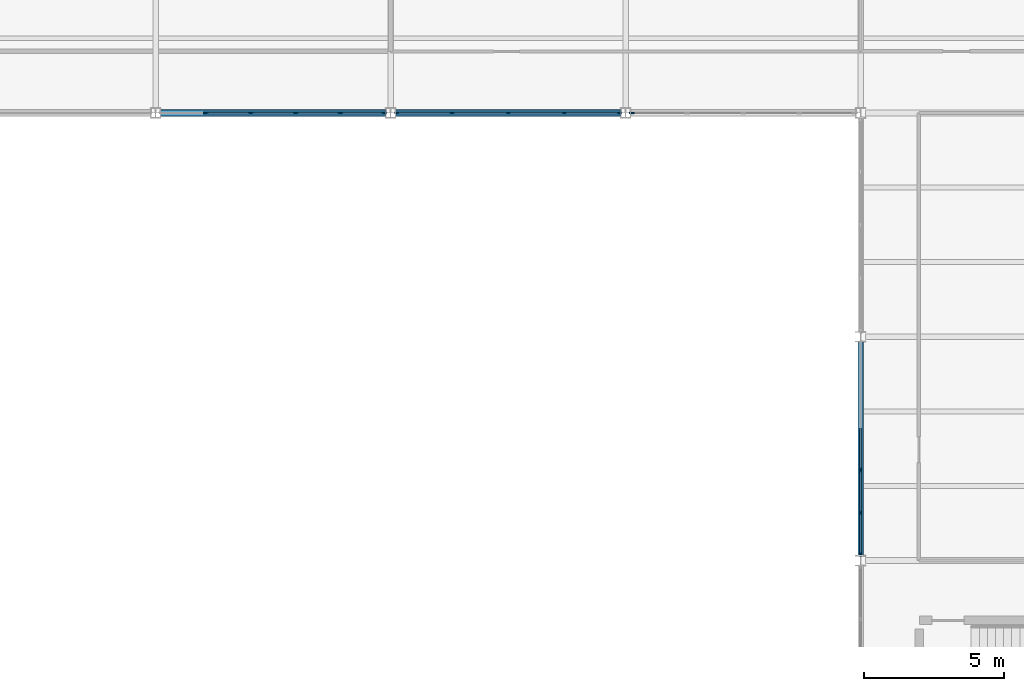
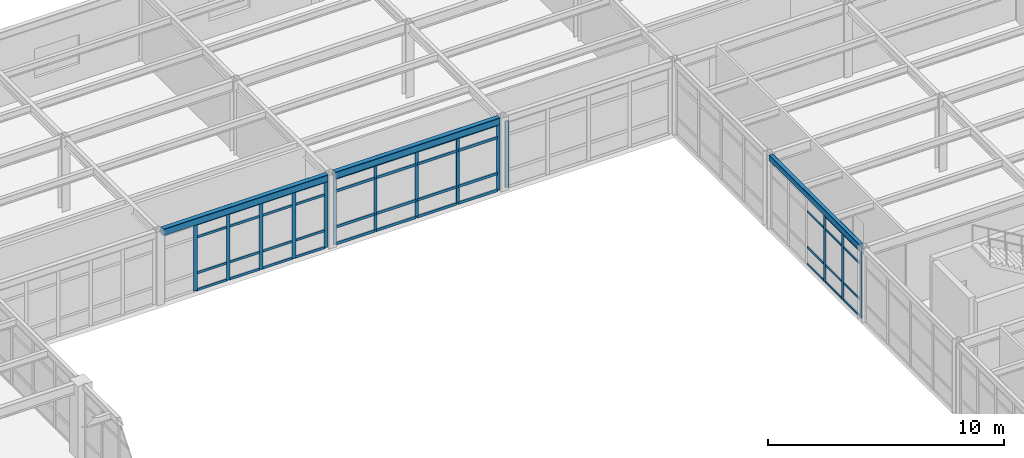
# One storey, part 53 of 138: 57 members, 3 beams, 4 elements without a shape of their own.
"""IFC4 building model written with IfcOpenShell, lengths in metres."""

from ifc_helpers import new_model, si_unit, direction, frame, origin, origin_2d, place, context, subcontext, project, spatial, rectangle, hollow_rectangle, extrude, material, layer, layer_set, material_profile, profile_set, type_object, element, aggregate, save


model = new_model("IFC4")

# Units and contexts
model_context = context("Model", 3, precision=1e-05, world=origin(), true_north=direction((0.0, 1.0)))
body_context = subcontext(model_context, "Body", "Model", "MODEL_VIEW")
ifc_project = project(units=[si_unit("LENGTHUNIT", "METRE"), si_unit("AREAUNIT", "SQUARE_METRE"), si_unit("VOLUMEUNIT", "CUBIC_METRE"), si_unit("PLANEANGLEUNIT", "RADIAN"), si_unit("MASSUNIT", "GRAM", prefix="KILO")], contexts=[model_context])

# Site, building, storey
site_placement = place(None, origin())
site = spatial("IfcSite", under=ifc_project, at=site_placement, CompositionType="ELEMENT")
building_placement = place(site_placement, origin())
building = spatial("IfcBuilding", under=site, at=building_placement, Name="Kranzveld Transit Interchange", CompositionType="ELEMENT")
storey_placement = place(building_placement, frame((0.0, 0.0, 5.43994140625)))
storey = spatial("IfcBuildingStorey", under=building, at=storey_placement, Name="L01", CompositionType="ELEMENT", Elevation=5.43994140625)

# Curtain wall, members
ifc_material_1 = material(Name="Bronze-anodised thermally broken aluminium", Category="aluminium")
ifc_layer_1 = layer(ifc_material_1, 0.14990234375)
ifc_layer_set_1 = layer_set([ifc_layer_1], Name="Bronze-anodised thermally broken aluminium")
curtain_wall_type_1 = type_object("IfcCurtainWallType", Name="Public Passage Clerestory Screen CW-4", PredefinedType="USERDEFINED", material=ifc_layer_set_1)
curtain_wall_1_placement = place(storey_placement, origin())
curtain_wall_1 = element("IfcCurtainWall", 1, at=curtain_wall_1_placement, inside=storey, type_object=curtain_wall_type_1, Name="L01 Curtain Wall 19/L-19/M", ObjectType="CURTAIN WALL", PredefinedType="USERDEFINED")
ifc_material_2 = material(Name="Bronze-anodised thermally broken aluminium", Category="aluminium")
ifc_material_profile_1 = material_profile(ifc_material_2, rectangle(XDim=0.06005859375, YDim=0.14990234375, at=origin_2d()), Name="ALU MULLION 60x150")
ifc_profile_set_1 = profile_set([ifc_material_profile_1], Name="Bronze-anodised thermally broken aluminium")
member_type_1 = type_object("IfcMemberType", Name="Curtain Wall Mullion 60x150 Alu", PredefinedType="MULLION", material=ifc_profile_set_1)
member_1_placement = place(storey_placement, frame((151.199951171875, 80.21728515625, 0.0), z_axis=(0.0, 0.0, 1.0), x_axis=(-1.0, 0.0, 0.0)))
member_1 = element("IfcMember", 2, at=member_1_placement, type_object=member_type_1, Name="CW-4 mullion 1", PredefinedType="MULLION", context=body_context, shape_type="SweptSolid", body=[
    extrude(rectangle(XDim=0.06005859375, YDim=0.14990234375, at=origin_2d()), origin(), (0.0, 0.0, 1.0), 3.442138671875),
])
member_2_placement = place(storey_placement, frame((151.199951171875, 81.71240234375, 0.0), z_axis=(0.0, 0.0, 1.0), x_axis=(-1.0, 0.0, 0.0)))
member_2 = element("IfcMember", 3, at=member_2_placement, type_object=member_type_1, Name="CW-4 mullion 2", PredefinedType="MULLION", context=body_context, shape_type="SweptSolid", body=[
    extrude(rectangle(XDim=0.06005859375, YDim=0.14990234375, at=origin_2d()), origin(), (0.0, 0.0, 1.0), 3.442138671875),
])
member_3_placement = place(storey_placement, frame((151.199951171875, 83.237548828125, 0.0), z_axis=(0.0, 0.0, 1.0), x_axis=(-1.0, 0.0, 0.0)))
member_3 = element("IfcMember", 4, at=member_3_placement, type_object=member_type_1, Name="CW-4 mullion 3", PredefinedType="MULLION", context=body_context, shape_type="SweptSolid", body=[
    extrude(rectangle(XDim=0.06005859375, YDim=0.14990234375, at=origin_2d()), origin(), (0.0, 0.0, 1.0), 3.442138671875),
])

ifc_material_3 = material(Name="Bronze-anodised thermally broken aluminium", Category="aluminium")
ifc_layer_2 = layer(ifc_material_3, 0.159912109375)
ifc_layer_set_2 = layer_set([ifc_layer_2], Name="Bronze-anodised thermally broken aluminium")
curtain_wall_type_2 = type_object("IfcCurtainWallType", Name="Bus Boarding Glazed Screen CW-3", PredefinedType="USERDEFINED", material=ifc_layer_set_2)
curtain_wall_2_placement = place(storey_placement, origin())
curtain_wall_2 = element("IfcCurtainWall", 5, at=curtain_wall_2_placement, inside=storey, type_object=curtain_wall_type_2, Name="L01 Curtain Wall 17/N-18/N", ObjectType="CURTAIN WALL", PredefinedType="USERDEFINED")
member_4_placement = place(storey_placement, frame((134.6171875, 96.0, 0.0), z_axis=(0.0, 0.0, 1.0), x_axis=(0.0, 1.0, 0.0)))
member_4 = element("IfcMember", 6, at=member_4_placement, type_object=member_type_1, Name="CW-3 mullion 1", PredefinedType="MULLION", context=body_context, shape_type="SweptSolid", body=[
    extrude(rectangle(XDim=0.06005859375, YDim=0.14990234375, at=origin_2d()), origin(), (0.0, 0.0, 1.0), 3.449951171875),
])
member_5_placement = place(storey_placement, frame((136.59375, 96.0, 0.0), z_axis=(0.0, 0.0, 1.0), x_axis=(0.0, 1.0, 0.0)))
member_5 = element("IfcMember", 7, at=member_5_placement, type_object=member_type_1, Name="CW-3 mullion 2", PredefinedType="MULLION", context=body_context, shape_type="SweptSolid", body=[
    extrude(rectangle(XDim=0.06005859375, YDim=0.14990234375, at=origin_2d()), origin(), (0.0, 0.0, 1.0), 3.449951171875),
])
member_6_placement = place(storey_placement, frame((138.60009765625, 96.0, 0.0), z_axis=(0.0, 0.0, 1.0), x_axis=(0.0, 1.0, 0.0)))
member_6 = element("IfcMember", 8, at=member_6_placement, type_object=member_type_1, Name="CW-3 mullion 3", PredefinedType="MULLION", context=body_context, shape_type="SweptSolid", body=[
    extrude(rectangle(XDim=0.06005859375, YDim=0.14990234375, at=origin_2d()), origin(), (0.0, 0.0, 1.0), 3.449951171875),
])
member_7_placement = place(storey_placement, frame((140.6064453125, 96.0, 0.0), z_axis=(0.0, 0.0, 1.0), x_axis=(0.0, 1.0, 0.0)))
member_7 = element("IfcMember", 9, at=member_7_placement, type_object=member_type_1, Name="CW-3 mullion 4", PredefinedType="MULLION", context=body_context, shape_type="SweptSolid", body=[
    extrude(rectangle(XDim=0.06005859375, YDim=0.14990234375, at=origin_2d()), origin(), (0.0, 0.0, 1.0), 3.449951171875),
])
member_8_placement = place(storey_placement, frame((142.582763671875, 96.0, 0.0), z_axis=(0.0, 0.0, 1.0), x_axis=(0.0, 1.0, 0.0)))
member_8 = element("IfcMember", 10, at=member_8_placement, type_object=member_type_1, Name="CW-3 mullion 5", PredefinedType="MULLION", context=body_context, shape_type="SweptSolid", body=[
    extrude(rectangle(XDim=0.06005859375, YDim=0.14990234375, at=origin_2d()), origin(), (0.0, 0.0, 1.0), 3.449951171875),
])

ifc_material_4 = material(Name="Bronze-anodised thermally broken aluminium", Category="aluminium")
ifc_layer_3 = layer(ifc_material_4, 0.1650390625)
ifc_layer_set_3 = layer_set([ifc_layer_3], Name="Bronze-anodised thermally broken aluminium")
curtain_wall_type_3 = type_object("IfcCurtainWallType", Name="Sunny Court Arcade Curtain Wall CW-2", PredefinedType="USERDEFINED", material=ifc_layer_set_3)
curtain_wall_3_placement = place(storey_placement, origin())
curtain_wall_3 = element("IfcCurtainWall", 11, at=curtain_wall_3_placement, inside=storey, type_object=curtain_wall_type_3, Name="L01 Curtain Wall 16/N-17/N", ObjectType="CURTAIN WALL", PredefinedType="USERDEFINED")
ifc_material_5 = material(Name="Bronze-anodised thermally broken aluminium", Category="aluminium")
ifc_material_profile_2 = material_profile(ifc_material_5, rectangle(XDim=0.06494140625, YDim=0.179931640625, at=origin_2d()), Name="ALU MULLION 65x180")
ifc_profile_set_2 = profile_set([ifc_material_profile_2], Name="Bronze-anodised thermally broken aluminium")
member_type_2 = type_object("IfcMemberType", Name="Curtain Wall Mullion 65x180 Alu", PredefinedType="MULLION", material=ifc_profile_set_2)
member_9_placement = place(storey_placement, frame((127.79248046875, 96.0, 0.0), z_axis=(0.0, 0.0, 1.0), x_axis=(0.0, 1.0, 0.0)))
member_9 = element("IfcMember", 12, at=member_9_placement, type_object=member_type_2, Name="CW-2 mullion 2", PredefinedType="MULLION", context=body_context, shape_type="SweptSolid", body=[
    extrude(rectangle(XDim=0.06494140625, YDim=0.179931640625, at=origin_2d()), origin(), (0.0, 0.0, 1.0), 3.449951171875),
])
member_10_placement = place(storey_placement, frame((129.3974609375, 96.0, 0.0), z_axis=(0.0, 0.0, 1.0), x_axis=(0.0, 1.0, 0.0)))
member_10 = element("IfcMember", 13, at=member_10_placement, type_object=member_type_2, Name="CW-2 mullion 3", PredefinedType="MULLION", context=body_context, shape_type="SweptSolid", body=[
    extrude(rectangle(XDim=0.06494140625, YDim=0.179931640625, at=origin_2d()), origin(), (0.0, 0.0, 1.0), 3.449951171875),
])
member_11_placement = place(storey_placement, frame((131.00244140625, 96.0, 0.0), z_axis=(0.0, 0.0, 1.0), x_axis=(0.0, 1.0, 0.0)))
member_11 = element("IfcMember", 14, at=member_11_placement, type_object=member_type_2, Name="CW-2 mullion 4", PredefinedType="MULLION", context=body_context, shape_type="SweptSolid", body=[
    extrude(rectangle(XDim=0.06494140625, YDim=0.179931640625, at=origin_2d()), origin(), (0.0, 0.0, 1.0), 3.449951171875),
])
member_12_placement = place(storey_placement, frame((132.607666015625, 96.0, 0.0), z_axis=(0.0, 0.0, 1.0), x_axis=(0.0, 1.0, 0.0)))
member_12 = element("IfcMember", 15, at=member_12_placement, type_object=member_type_2, Name="CW-2 mullion 5", PredefinedType="MULLION", context=body_context, shape_type="SweptSolid", body=[
    extrude(rectangle(XDim=0.06494140625, YDim=0.179931640625, at=origin_2d()), origin(), (0.0, 0.0, 1.0), 3.449951171875),
])
member_13_placement = place(storey_placement, frame((134.18017578125, 96.0, 0.0), z_axis=(0.0, 0.0, 1.0), x_axis=(0.0, 1.0, 0.0)))
member_13 = element("IfcMember", 16, at=member_13_placement, type_object=member_type_2, Name="CW-2 mullion 6", PredefinedType="MULLION", context=body_context, shape_type="SweptSolid", body=[
    extrude(rectangle(XDim=0.06494140625, YDim=0.179931640625, at=origin_2d()), origin(), (0.0, 0.0, 1.0), 3.449951171875),
])

# Curtain wall, member
ifc_material_6 = material(Name="Bronze-anodised thermally broken aluminium", Category="aluminium")
ifc_layer_4 = layer(ifc_material_6, 0.179931640625)
ifc_layer_set_4 = layer_set([ifc_layer_4], Name="Bronze-anodised thermally broken aluminium")
curtain_wall_type_4 = type_object("IfcCurtainWallType", Name="Concourse Unitised Curtain Wall CW-1", PredefinedType="USERDEFINED", material=ifc_layer_set_4)
curtain_wall_4_placement = place(storey_placement, origin())
curtain_wall_4 = element("IfcCurtainWall", 17, at=curtain_wall_4_placement, inside=storey, type_object=curtain_wall_type_4, Name="L01 Curtain Wall 18/N-19/N", ObjectType="CURTAIN WALL", PredefinedType="USERDEFINED")
member_14_placement = place(storey_placement, frame((143.019775390625, 96.0, 0.0), z_axis=(0.0, 0.0, 1.0), x_axis=(0.0, 1.0, 0.0)))
member_14 = element("IfcMember", 18, at=member_14_placement, type_object=member_type_2, Name="CW-1 mullion 1", PredefinedType="MULLION", context=body_context, shape_type="SweptSolid", body=[
    extrude(rectangle(XDim=0.06494140625, YDim=0.179931640625, at=origin_2d()), origin(), (0.0, 0.0, 1.0), 3.449951171875),
])
aggregate(curtain_wall_4, [member_14])

# Member
ifc_material_7 = material(Name="Bronze-anodised thermally broken aluminium", Category="aluminium")
ifc_material_profile_3 = material_profile(ifc_material_7, rectangle(XDim=0.06005859375, YDim=0.110107421875, at=origin_2d()), Name="ALU TRANSOM 60x110")
ifc_profile_set_3 = profile_set([ifc_material_profile_3], Name="Bronze-anodised thermally broken aluminium")
member_type_3 = type_object("IfcMemberType", Name="Curtain Wall Transom 60x110 Alu", PredefinedType="USERDEFINED", material=ifc_profile_set_3)
member_15_placement = place(storey_placement, frame((151.199951171875, 80.247314453125, 0.030029296875), z_axis=(0.0, 1.0, 0.0), x_axis=(-1.0, 0.0, 0.0)))
member_15 = element("IfcMember", 19, at=member_15_placement, type_object=member_type_3, Name="CW-4 transom 1.1", ObjectType="TRANSOM", PredefinedType="USERDEFINED", context=body_context, shape_type="SweptSolid", body=[
    extrude(rectangle(XDim=0.06005859375, YDim=0.110107421875, at=origin_2d()), origin(), (0.0, 0.0, 1.0), 1.43505859375),
])

member_16_placement = place(storey_placement, frame((151.199951171875, 80.247314453125, 0.900146484375), z_axis=(0.0, 1.0, 0.0), x_axis=(-1.0, 0.0, 0.0)))
member_16 = element("IfcMember", 20, at=member_16_placement, type_object=member_type_3, Name="CW-4 transom 1.2", ObjectType="TRANSOM", PredefinedType="USERDEFINED", context=body_context, shape_type="SweptSolid", body=[
    extrude(rectangle(XDim=0.06005859375, YDim=0.110107421875, at=origin_2d()), origin(), (0.0, 0.0, 1.0), 1.43505859375),
])

member_17_placement = place(storey_placement, frame((151.199951171875, 80.247314453125, 2.741943359375), z_axis=(0.0, 1.0, 0.0), x_axis=(-1.0, 0.0, 0.0)))
member_17 = element("IfcMember", 21, at=member_17_placement, type_object=member_type_3, Name="CW-4 transom 1.3", ObjectType="TRANSOM", PredefinedType="USERDEFINED", context=body_context, shape_type="SweptSolid", body=[
    extrude(rectangle(XDim=0.06005859375, YDim=0.110107421875, at=origin_2d()), origin(), (0.0, 0.0, 1.0), 1.43505859375),
])

member_18_placement = place(storey_placement, frame((151.199951171875, 80.247314453125, 3.412109375), z_axis=(0.0, 1.0, 0.0), x_axis=(-1.0, 0.0, 0.0)))
member_18 = element("IfcMember", 22, at=member_18_placement, type_object=member_type_3, Name="CW-4 transom 1.4", ObjectType="TRANSOM", PredefinedType="USERDEFINED", context=body_context, shape_type="SweptSolid", body=[
    extrude(rectangle(XDim=0.06005859375, YDim=0.110107421875, at=origin_2d()), origin(), (0.0, 0.0, 1.0), 1.43505859375),
])

member_19_placement = place(storey_placement, frame((151.199951171875, 81.742431640625, 0.030029296875), z_axis=(0.0, 1.0, 0.0), x_axis=(-1.0, 0.0, 0.0)))
member_19 = element("IfcMember", 23, at=member_19_placement, type_object=member_type_3, Name="CW-4 transom 2.1", ObjectType="TRANSOM", PredefinedType="USERDEFINED", context=body_context, shape_type="SweptSolid", body=[
    extrude(rectangle(XDim=0.06005859375, YDim=0.110107421875, at=origin_2d()), origin(), (0.0, 0.0, 1.0), 1.465087890625),
])

member_20_placement = place(storey_placement, frame((151.199951171875, 81.742431640625, 0.900146484375), z_axis=(0.0, 1.0, 0.0), x_axis=(-1.0, 0.0, 0.0)))
member_20 = element("IfcMember", 24, at=member_20_placement, type_object=member_type_3, Name="CW-4 transom 2.2", ObjectType="TRANSOM", PredefinedType="USERDEFINED", context=body_context, shape_type="SweptSolid", body=[
    extrude(rectangle(XDim=0.06005859375, YDim=0.110107421875, at=origin_2d()), origin(), (0.0, 0.0, 1.0), 1.465087890625),
])

member_21_placement = place(storey_placement, frame((151.199951171875, 81.742431640625, 2.741943359375), z_axis=(0.0, 1.0, 0.0), x_axis=(-1.0, 0.0, 0.0)))
member_21 = element("IfcMember", 25, at=member_21_placement, type_object=member_type_3, Name="CW-4 transom 2.3", ObjectType="TRANSOM", PredefinedType="USERDEFINED", context=body_context, shape_type="SweptSolid", body=[
    extrude(rectangle(XDim=0.06005859375, YDim=0.110107421875, at=origin_2d()), origin(), (0.0, 0.0, 1.0), 1.465087890625),
])

member_22_placement = place(storey_placement, frame((151.199951171875, 81.742431640625, 3.412109375), z_axis=(0.0, 1.0, 0.0), x_axis=(-1.0, 0.0, 0.0)))
member_22 = element("IfcMember", 26, at=member_22_placement, type_object=member_type_3, Name="CW-4 transom 2.4", ObjectType="TRANSOM", PredefinedType="USERDEFINED", context=body_context, shape_type="SweptSolid", body=[
    extrude(rectangle(XDim=0.06005859375, YDim=0.110107421875, at=origin_2d()), origin(), (0.0, 0.0, 1.0), 1.465087890625),
])

member_23_placement = place(storey_placement, frame((151.199951171875, 83.267578125, 0.030029296875), z_axis=(0.0, 1.0, 0.0), x_axis=(-1.0, 0.0, 0.0)))
member_23 = element("IfcMember", 27, at=member_23_placement, type_object=member_type_3, Name="CW-4 transom 3.1", ObjectType="TRANSOM", PredefinedType="USERDEFINED", context=body_context, shape_type="SweptSolid", body=[
    extrude(rectangle(XDim=0.06005859375, YDim=0.110107421875, at=origin_2d()), origin(), (0.0, 0.0, 1.0), 1.46484375),
])

member_24_placement = place(storey_placement, frame((151.199951171875, 83.267578125, 0.900146484375), z_axis=(0.0, 1.0, 0.0), x_axis=(-1.0, 0.0, 0.0)))
member_24 = element("IfcMember", 28, at=member_24_placement, type_object=member_type_3, Name="CW-4 transom 3.2", ObjectType="TRANSOM", PredefinedType="USERDEFINED", context=body_context, shape_type="SweptSolid", body=[
    extrude(rectangle(XDim=0.06005859375, YDim=0.110107421875, at=origin_2d()), origin(), (0.0, 0.0, 1.0), 1.46484375),
])

member_25_placement = place(storey_placement, frame((151.199951171875, 83.267578125, 2.741943359375), z_axis=(0.0, 1.0, 0.0), x_axis=(-1.0, 0.0, 0.0)))
member_25 = element("IfcMember", 29, at=member_25_placement, type_object=member_type_3, Name="CW-4 transom 3.3", ObjectType="TRANSOM", PredefinedType="USERDEFINED", context=body_context, shape_type="SweptSolid", body=[
    extrude(rectangle(XDim=0.06005859375, YDim=0.110107421875, at=origin_2d()), origin(), (0.0, 0.0, 1.0), 1.46484375),
])

aggregate(curtain_wall_1, [member_1, member_2, member_3, member_15, member_16, member_17, member_18, member_19, member_20, member_21, member_22, member_23, member_24, member_25])

ifc_material_8 = material(Name="Bronze-anodised thermally broken aluminium", Category="aluminium")
ifc_material_profile_4 = material_profile(ifc_material_8, rectangle(XDim=0.06005859375, YDim=0.125, at=origin_2d()), Name="ALU TRANSOM 60x125")
ifc_profile_set_4 = profile_set([ifc_material_profile_4], Name="Bronze-anodised thermally broken aluminium")
member_type_4 = type_object("IfcMemberType", Name="Curtain Wall Transom 60x125 Alu", PredefinedType="USERDEFINED", material=ifc_profile_set_4)
member_26_placement = place(storey_placement, frame((127.824951171875, 96.0, 0.030029296875), z_axis=(1.0, 0.0, 0.0), x_axis=(0.0, 1.0, 0.0)))
member_26 = element("IfcMember", 30, at=member_26_placement, type_object=member_type_4, Name="CW-2 transom 2.1", ObjectType="TRANSOM", PredefinedType="USERDEFINED", context=body_context, shape_type="SweptSolid", body=[
    extrude(rectangle(XDim=0.06005859375, YDim=0.125, at=origin_2d()), origin(), (0.0, 0.0, 1.0), 1.5400390625),
])

member_27_placement = place(storey_placement, frame((127.824951171875, 96.0, 0.900146484375), z_axis=(1.0, 0.0, 0.0), x_axis=(0.0, 1.0, 0.0)))
member_27 = element("IfcMember", 31, at=member_27_placement, type_object=member_type_4, Name="CW-2 transom 2.2", ObjectType="TRANSOM", PredefinedType="USERDEFINED", context=body_context, shape_type="SweptSolid", body=[
    extrude(rectangle(XDim=0.06005859375, YDim=0.125, at=origin_2d()), origin(), (0.0, 0.0, 1.0), 1.5400390625),
])

member_28_placement = place(storey_placement, frame((127.824951171875, 96.0, 2.75), z_axis=(1.0, 0.0, 0.0), x_axis=(0.0, 1.0, 0.0)))
member_28 = element("IfcMember", 32, at=member_28_placement, type_object=member_type_4, Name="CW-2 transom 2.3", ObjectType="TRANSOM", PredefinedType="USERDEFINED", context=body_context, shape_type="SweptSolid", body=[
    extrude(rectangle(XDim=0.06005859375, YDim=0.125, at=origin_2d()), origin(), (0.0, 0.0, 1.0), 1.5400390625),
])

member_29_placement = place(storey_placement, frame((127.824951171875, 96.0, 3.420166015625), z_axis=(1.0, 0.0, 0.0), x_axis=(0.0, 1.0, 0.0)))
member_29 = element("IfcMember", 33, at=member_29_placement, type_object=member_type_4, Name="CW-2 transom 2.4", ObjectType="TRANSOM", PredefinedType="USERDEFINED", context=body_context, shape_type="SweptSolid", body=[
    extrude(rectangle(XDim=0.06005859375, YDim=0.125, at=origin_2d()), origin(), (0.0, 0.0, 1.0), 1.5400390625),
])

member_30_placement = place(storey_placement, frame((129.429931640625, 96.0, 0.030029296875), z_axis=(1.0, 0.0, 0.0), x_axis=(0.0, 1.0, 0.0)))
member_30 = element("IfcMember", 34, at=member_30_placement, type_object=member_type_4, Name="CW-2 transom 3.1", ObjectType="TRANSOM", PredefinedType="USERDEFINED", context=body_context, shape_type="SweptSolid", body=[
    extrude(rectangle(XDim=0.06005859375, YDim=0.125, at=origin_2d()), origin(), (0.0, 0.0, 1.0), 1.5400390625),
])

member_31_placement = place(storey_placement, frame((129.429931640625, 96.0, 0.900146484375), z_axis=(1.0, 0.0, 0.0), x_axis=(0.0, 1.0, 0.0)))
member_31 = element("IfcMember", 35, at=member_31_placement, type_object=member_type_4, Name="CW-2 transom 3.2", ObjectType="TRANSOM", PredefinedType="USERDEFINED", context=body_context, shape_type="SweptSolid", body=[
    extrude(rectangle(XDim=0.06005859375, YDim=0.125, at=origin_2d()), origin(), (0.0, 0.0, 1.0), 1.5400390625),
])

member_32_placement = place(storey_placement, frame((129.429931640625, 96.0, 2.75), z_axis=(1.0, 0.0, 0.0), x_axis=(0.0, 1.0, 0.0)))
member_32 = element("IfcMember", 36, at=member_32_placement, type_object=member_type_4, Name="CW-2 transom 3.3", ObjectType="TRANSOM", PredefinedType="USERDEFINED", context=body_context, shape_type="SweptSolid", body=[
    extrude(rectangle(XDim=0.06005859375, YDim=0.125, at=origin_2d()), origin(), (0.0, 0.0, 1.0), 1.5400390625),
])

member_33_placement = place(storey_placement, frame((129.429931640625, 96.0, 3.420166015625), z_axis=(1.0, 0.0, 0.0), x_axis=(0.0, 1.0, 0.0)))
member_33 = element("IfcMember", 37, at=member_33_placement, type_object=member_type_4, Name="CW-2 transom 3.4", ObjectType="TRANSOM", PredefinedType="USERDEFINED", context=body_context, shape_type="SweptSolid", body=[
    extrude(rectangle(XDim=0.06005859375, YDim=0.125, at=origin_2d()), origin(), (0.0, 0.0, 1.0), 1.5400390625),
])

member_34_placement = place(storey_placement, frame((131.03515625, 96.0, 0.030029296875), z_axis=(1.0, 0.0, 0.0), x_axis=(0.0, 1.0, 0.0)))
member_34 = element("IfcMember", 38, at=member_34_placement, type_object=member_type_4, Name="CW-2 transom 4.1", ObjectType="TRANSOM", PredefinedType="USERDEFINED", context=body_context, shape_type="SweptSolid", body=[
    extrude(rectangle(XDim=0.06005859375, YDim=0.125, at=origin_2d()), origin(), (0.0, 0.0, 1.0), 1.5400390625),
])

member_35_placement = place(storey_placement, frame((131.03515625, 96.0, 0.900146484375), z_axis=(1.0, 0.0, 0.0), x_axis=(0.0, 1.0, 0.0)))
member_35 = element("IfcMember", 39, at=member_35_placement, type_object=member_type_4, Name="CW-2 transom 4.2", ObjectType="TRANSOM", PredefinedType="USERDEFINED", context=body_context, shape_type="SweptSolid", body=[
    extrude(rectangle(XDim=0.06005859375, YDim=0.125, at=origin_2d()), origin(), (0.0, 0.0, 1.0), 1.5400390625),
])

member_36_placement = place(storey_placement, frame((131.03515625, 96.0, 2.75), z_axis=(1.0, 0.0, 0.0), x_axis=(0.0, 1.0, 0.0)))
member_36 = element("IfcMember", 40, at=member_36_placement, type_object=member_type_4, Name="CW-2 transom 4.3", ObjectType="TRANSOM", PredefinedType="USERDEFINED", context=body_context, shape_type="SweptSolid", body=[
    extrude(rectangle(XDim=0.06005859375, YDim=0.125, at=origin_2d()), origin(), (0.0, 0.0, 1.0), 1.5400390625),
])

member_37_placement = place(storey_placement, frame((131.03515625, 96.0, 3.420166015625), z_axis=(1.0, 0.0, 0.0), x_axis=(0.0, 1.0, 0.0)))
member_37 = element("IfcMember", 41, at=member_37_placement, type_object=member_type_4, Name="CW-2 transom 4.4", ObjectType="TRANSOM", PredefinedType="USERDEFINED", context=body_context, shape_type="SweptSolid", body=[
    extrude(rectangle(XDim=0.06005859375, YDim=0.125, at=origin_2d()), origin(), (0.0, 0.0, 1.0), 1.5400390625),
])

member_38_placement = place(storey_placement, frame((132.64013671875, 96.0, 0.030029296875), z_axis=(1.0, 0.0, 0.0), x_axis=(0.0, 1.0, 0.0)))
member_38 = element("IfcMember", 42, at=member_38_placement, type_object=member_type_4, Name="CW-2 transom 5.1", ObjectType="TRANSOM", PredefinedType="USERDEFINED", context=body_context, shape_type="SweptSolid", body=[
    extrude(rectangle(XDim=0.06005859375, YDim=0.125, at=origin_2d()), origin(), (0.0, 0.0, 1.0), 1.507568359375),
])

member_39_placement = place(storey_placement, frame((132.64013671875, 96.0, 0.900146484375), z_axis=(1.0, 0.0, 0.0), x_axis=(0.0, 1.0, 0.0)))
member_39 = element("IfcMember", 43, at=member_39_placement, type_object=member_type_4, Name="CW-2 transom 5.2", ObjectType="TRANSOM", PredefinedType="USERDEFINED", context=body_context, shape_type="SweptSolid", body=[
    extrude(rectangle(XDim=0.06005859375, YDim=0.125, at=origin_2d()), origin(), (0.0, 0.0, 1.0), 1.507568359375),
])

member_40_placement = place(storey_placement, frame((132.64013671875, 96.0, 2.75), z_axis=(1.0, 0.0, 0.0), x_axis=(0.0, 1.0, 0.0)))
member_40 = element("IfcMember", 44, at=member_40_placement, type_object=member_type_4, Name="CW-2 transom 5.3", ObjectType="TRANSOM", PredefinedType="USERDEFINED", context=body_context, shape_type="SweptSolid", body=[
    extrude(rectangle(XDim=0.06005859375, YDim=0.125, at=origin_2d()), origin(), (0.0, 0.0, 1.0), 1.507568359375),
])

member_41_placement = place(storey_placement, frame((132.64013671875, 96.0, 3.420166015625), z_axis=(1.0, 0.0, 0.0), x_axis=(0.0, 1.0, 0.0)))
member_41 = element("IfcMember", 45, at=member_41_placement, type_object=member_type_4, Name="CW-2 transom 5.4", ObjectType="TRANSOM", PredefinedType="USERDEFINED", context=body_context, shape_type="SweptSolid", body=[
    extrude(rectangle(XDim=0.06005859375, YDim=0.125, at=origin_2d()), origin(), (0.0, 0.0, 1.0), 1.507568359375),
])

aggregate(curtain_wall_3, [member_9, member_10, member_11, member_12, member_13, member_26, member_27, member_28, member_29, member_30, member_31, member_32, member_33, member_34, member_35, member_36, member_37, member_38, member_39, member_40, member_41])

ifc_material_9 = material(Name="Bronze-anodised thermally broken aluminium", Category="aluminium")
ifc_material_profile_5 = material_profile(ifc_material_9, rectangle(XDim=0.06494140625, YDim=0.139892578125, at=origin_2d()), Name="ALU TRANSOM 65x140")
ifc_profile_set_5 = profile_set([ifc_material_profile_5], Name="Bronze-anodised thermally broken aluminium")
member_type_5 = type_object("IfcMemberType", Name="Curtain Wall Transom 65x140 Alu", PredefinedType="USERDEFINED", material=ifc_profile_set_5)
member_42_placement = place(storey_placement, frame((134.647216796875, 96.0, 0.032470703125), z_axis=(1.0, 0.0, 0.0), x_axis=(0.0, 1.0, 0.0)))
member_42 = element("IfcMember", 46, at=member_42_placement, type_object=member_type_5, Name="CW-3 transom 1.1", ObjectType="TRANSOM", PredefinedType="USERDEFINED", context=body_context, shape_type="SweptSolid", body=[
    extrude(rectangle(XDim=0.06494140625, YDim=0.139892578125, at=origin_2d()), origin(), (0.0, 0.0, 1.0), 1.91650390625),
])

member_43_placement = place(storey_placement, frame((134.647216796875, 96.0, 0.900146484375), z_axis=(1.0, 0.0, 0.0), x_axis=(0.0, 1.0, 0.0)))
member_43 = element("IfcMember", 47, at=member_43_placement, type_object=member_type_5, Name="CW-3 transom 1.2", ObjectType="TRANSOM", PredefinedType="USERDEFINED", context=body_context, shape_type="SweptSolid", body=[
    extrude(rectangle(XDim=0.06494140625, YDim=0.139892578125, at=origin_2d()), origin(), (0.0, 0.0, 1.0), 1.91650390625),
])

member_44_placement = place(storey_placement, frame((134.647216796875, 96.0, 2.75), z_axis=(1.0, 0.0, 0.0), x_axis=(0.0, 1.0, 0.0)))
member_44 = element("IfcMember", 48, at=member_44_placement, type_object=member_type_5, Name="CW-3 transom 1.3", ObjectType="TRANSOM", PredefinedType="USERDEFINED", context=body_context, shape_type="SweptSolid", body=[
    extrude(rectangle(XDim=0.06494140625, YDim=0.139892578125, at=origin_2d()), origin(), (0.0, 0.0, 1.0), 1.91650390625),
])

member_45_placement = place(storey_placement, frame((134.647216796875, 96.0, 3.41748046875), z_axis=(1.0, 0.0, 0.0), x_axis=(0.0, 1.0, 0.0)))
member_45 = element("IfcMember", 49, at=member_45_placement, type_object=member_type_5, Name="CW-3 transom 1.4", ObjectType="TRANSOM", PredefinedType="USERDEFINED", context=body_context, shape_type="SweptSolid", body=[
    extrude(rectangle(XDim=0.06494140625, YDim=0.139892578125, at=origin_2d()), origin(), (0.0, 0.0, 1.0), 1.91650390625),
])

member_46_placement = place(storey_placement, frame((136.62353515625, 96.0, 0.032470703125), z_axis=(1.0, 0.0, 0.0), x_axis=(0.0, 1.0, 0.0)))
member_46 = element("IfcMember", 50, at=member_46_placement, type_object=member_type_5, Name="CW-3 transom 2.1", ObjectType="TRANSOM", PredefinedType="USERDEFINED", context=body_context, shape_type="SweptSolid", body=[
    extrude(rectangle(XDim=0.06494140625, YDim=0.139892578125, at=origin_2d()), origin(), (0.0, 0.0, 1.0), 1.946533203125),
])

member_47_placement = place(storey_placement, frame((136.62353515625, 96.0, 0.900146484375), z_axis=(1.0, 0.0, 0.0), x_axis=(0.0, 1.0, 0.0)))
member_47 = element("IfcMember", 51, at=member_47_placement, type_object=member_type_5, Name="CW-3 transom 2.2", ObjectType="TRANSOM", PredefinedType="USERDEFINED", context=body_context, shape_type="SweptSolid", body=[
    extrude(rectangle(XDim=0.06494140625, YDim=0.139892578125, at=origin_2d()), origin(), (0.0, 0.0, 1.0), 1.946533203125),
])

member_48_placement = place(storey_placement, frame((136.62353515625, 96.0, 2.75), z_axis=(1.0, 0.0, 0.0), x_axis=(0.0, 1.0, 0.0)))
member_48 = element("IfcMember", 52, at=member_48_placement, type_object=member_type_5, Name="CW-3 transom 2.3", ObjectType="TRANSOM", PredefinedType="USERDEFINED", context=body_context, shape_type="SweptSolid", body=[
    extrude(rectangle(XDim=0.06494140625, YDim=0.139892578125, at=origin_2d()), origin(), (0.0, 0.0, 1.0), 1.946533203125),
])

member_49_placement = place(storey_placement, frame((136.62353515625, 96.0, 3.41748046875), z_axis=(1.0, 0.0, 0.0), x_axis=(0.0, 1.0, 0.0)))
member_49 = element("IfcMember", 53, at=member_49_placement, type_object=member_type_5, Name="CW-3 transom 2.4", ObjectType="TRANSOM", PredefinedType="USERDEFINED", context=body_context, shape_type="SweptSolid", body=[
    extrude(rectangle(XDim=0.06494140625, YDim=0.139892578125, at=origin_2d()), origin(), (0.0, 0.0, 1.0), 1.946533203125),
])

member_50_placement = place(storey_placement, frame((138.6298828125, 96.0, 0.032470703125), z_axis=(1.0, 0.0, 0.0), x_axis=(0.0, 1.0, 0.0)))
member_50 = element("IfcMember", 54, at=member_50_placement, type_object=member_type_5, Name="CW-3 transom 3.1", ObjectType="TRANSOM", PredefinedType="USERDEFINED", context=body_context, shape_type="SweptSolid", body=[
    extrude(rectangle(XDim=0.06494140625, YDim=0.139892578125, at=origin_2d()), origin(), (0.0, 0.0, 1.0), 1.946533203125),
])

member_51_placement = place(storey_placement, frame((138.6298828125, 96.0, 0.900146484375), z_axis=(1.0, 0.0, 0.0), x_axis=(0.0, 1.0, 0.0)))
member_51 = element("IfcMember", 55, at=member_51_placement, type_object=member_type_5, Name="CW-3 transom 3.2", ObjectType="TRANSOM", PredefinedType="USERDEFINED", context=body_context, shape_type="SweptSolid", body=[
    extrude(rectangle(XDim=0.06494140625, YDim=0.139892578125, at=origin_2d()), origin(), (0.0, 0.0, 1.0), 1.946533203125),
])

member_52_placement = place(storey_placement, frame((138.6298828125, 96.0, 2.75), z_axis=(1.0, 0.0, 0.0), x_axis=(0.0, 1.0, 0.0)))
member_52 = element("IfcMember", 56, at=member_52_placement, type_object=member_type_5, Name="CW-3 transom 3.3", ObjectType="TRANSOM", PredefinedType="USERDEFINED", context=body_context, shape_type="SweptSolid", body=[
    extrude(rectangle(XDim=0.06494140625, YDim=0.139892578125, at=origin_2d()), origin(), (0.0, 0.0, 1.0), 1.946533203125),
])

member_53_placement = place(storey_placement, frame((138.6298828125, 96.0, 3.41748046875), z_axis=(1.0, 0.0, 0.0), x_axis=(0.0, 1.0, 0.0)))
member_53 = element("IfcMember", 57, at=member_53_placement, type_object=member_type_5, Name="CW-3 transom 3.4", ObjectType="TRANSOM", PredefinedType="USERDEFINED", context=body_context, shape_type="SweptSolid", body=[
    extrude(rectangle(XDim=0.06494140625, YDim=0.139892578125, at=origin_2d()), origin(), (0.0, 0.0, 1.0), 1.946533203125),
])

member_54_placement = place(storey_placement, frame((140.63623046875, 96.0, 0.032470703125), z_axis=(1.0, 0.0, 0.0), x_axis=(0.0, 1.0, 0.0)))
member_54 = element("IfcMember", 58, at=member_54_placement, type_object=member_type_5, Name="CW-3 transom 4.1", ObjectType="TRANSOM", PredefinedType="USERDEFINED", context=body_context, shape_type="SweptSolid", body=[
    extrude(rectangle(XDim=0.06494140625, YDim=0.139892578125, at=origin_2d()), origin(), (0.0, 0.0, 1.0), 1.91650390625),
])

member_55_placement = place(storey_placement, frame((140.63623046875, 96.0, 0.900146484375), z_axis=(1.0, 0.0, 0.0), x_axis=(0.0, 1.0, 0.0)))
member_55 = element("IfcMember", 59, at=member_55_placement, type_object=member_type_5, Name="CW-3 transom 4.2", ObjectType="TRANSOM", PredefinedType="USERDEFINED", context=body_context, shape_type="SweptSolid", body=[
    extrude(rectangle(XDim=0.06494140625, YDim=0.139892578125, at=origin_2d()), origin(), (0.0, 0.0, 1.0), 1.91650390625),
])

member_56_placement = place(storey_placement, frame((140.63623046875, 96.0, 2.75), z_axis=(1.0, 0.0, 0.0), x_axis=(0.0, 1.0, 0.0)))
member_56 = element("IfcMember", 60, at=member_56_placement, type_object=member_type_5, Name="CW-3 transom 4.3", ObjectType="TRANSOM", PredefinedType="USERDEFINED", context=body_context, shape_type="SweptSolid", body=[
    extrude(rectangle(XDim=0.06494140625, YDim=0.139892578125, at=origin_2d()), origin(), (0.0, 0.0, 1.0), 1.91650390625),
])

member_57_placement = place(storey_placement, frame((140.63623046875, 96.0, 3.41748046875), z_axis=(1.0, 0.0, 0.0), x_axis=(0.0, 1.0, 0.0)))
member_57 = element("IfcMember", 61, at=member_57_placement, type_object=member_type_5, Name="CW-3 transom 4.4", ObjectType="TRANSOM", PredefinedType="USERDEFINED", context=body_context, shape_type="SweptSolid", body=[
    extrude(rectangle(XDim=0.06494140625, YDim=0.139892578125, at=origin_2d()), origin(), (0.0, 0.0, 1.0), 1.91650390625),
])

aggregate(curtain_wall_2, [member_4, member_5, member_6, member_7, member_8, member_42, member_43, member_44, member_45, member_46, member_47, member_48, member_49, member_50, member_51, member_52, member_53, member_54, member_55, member_56, member_57])

# Beams
ifc_material_10 = material(Name="Steel S355JR", Category="steel")
ifc_material_profile_6 = material_profile(ifc_material_10, hollow_rectangle(XDim=0.199951171875, YDim=0.300048828125, WallThickness=0.010009765625, InnerFilletRadius=0.014892578125, OuterFilletRadius=0.02490234375, at=origin_2d()), Name="RHS 300x200x10")
ifc_profile_set_6 = profile_set([ifc_material_profile_6], Name="Steel S355JR")
beam_type_1 = type_object("IfcBeamType", Name="Edge Spandrel RHS 300x200x10 S355JR", PredefinedType="SPANDREL", material=ifc_profile_set_6)
beam_placement = place(storey_placement, frame((151.199951171875, 80.17724609375, 3.650146484375), z_axis=(0.0, 1.0, 0.0), x_axis=(-1.0, 0.0, 0.0)))
element("IfcBeam", 62, at=beam_placement, inside=storey, type_object=beam_type_1, Name="L01 Girder 19/L-M", PredefinedType="SPANDREL", context=body_context, shape_type="SweptSolid", body=[
    extrude(hollow_rectangle(XDim=0.199951171875, YDim=0.300048828125, WallThickness=0.010009765625, InnerFilletRadius=0.014892578125, OuterFilletRadius=0.02490234375, at=origin_2d()), origin(), (0.0, 0.0, 1.0), 7.6455078125),
])
ifc_material_11 = material(Name="Steel S355JR", Category="steel")
ifc_material_profile_7 = material_profile(ifc_material_11, hollow_rectangle(XDim=0.25, YDim=0.35009765625, WallThickness=0.012451171875, InnerFilletRadius=0.018798828125, OuterFilletRadius=0.03125, at=origin_2d()), Name="RHS 350x250x12.5")
ifc_profile_set_7 = profile_set([ifc_material_profile_7], Name="Steel S355JR")
beam_type_2 = type_object("IfcBeamType", Name="Edge Spandrel RHS 350x250x12.5 S355JR", PredefinedType="SPANDREL", material=ifc_profile_set_7)
for number, where, z_axis, x_axis, name in (
    (63, (126.17724609375, 96.0, 3.625), (1.0, 0.0, 0.0), (0.0, 1.0, 0.0), "L01 Girder 16-17/N"),
    (64, (134.577392578125, 96.0, 3.625), (1.0, 0.0, 0.0), (0.0, 1.0, 0.0), "L01 Girder 17-18/N"),
):
    element("IfcBeam", number, at=place(storey_placement, frame(where, z_axis=z_axis, x_axis=x_axis)), inside=storey, type_object=beam_type_2, Name=name, PredefinedType="SPANDREL", context=body_context, shape_type="SweptSolid", body=[
        extrude(hollow_rectangle(XDim=0.25, YDim=0.35009765625, WallThickness=0.012451171875, InnerFilletRadius=0.018798828125, OuterFilletRadius=0.03125, at=origin_2d()), origin(), (0.0, 0.0, 1.0), 8.04541015625),
    ])

save(model, "model.ifc")
